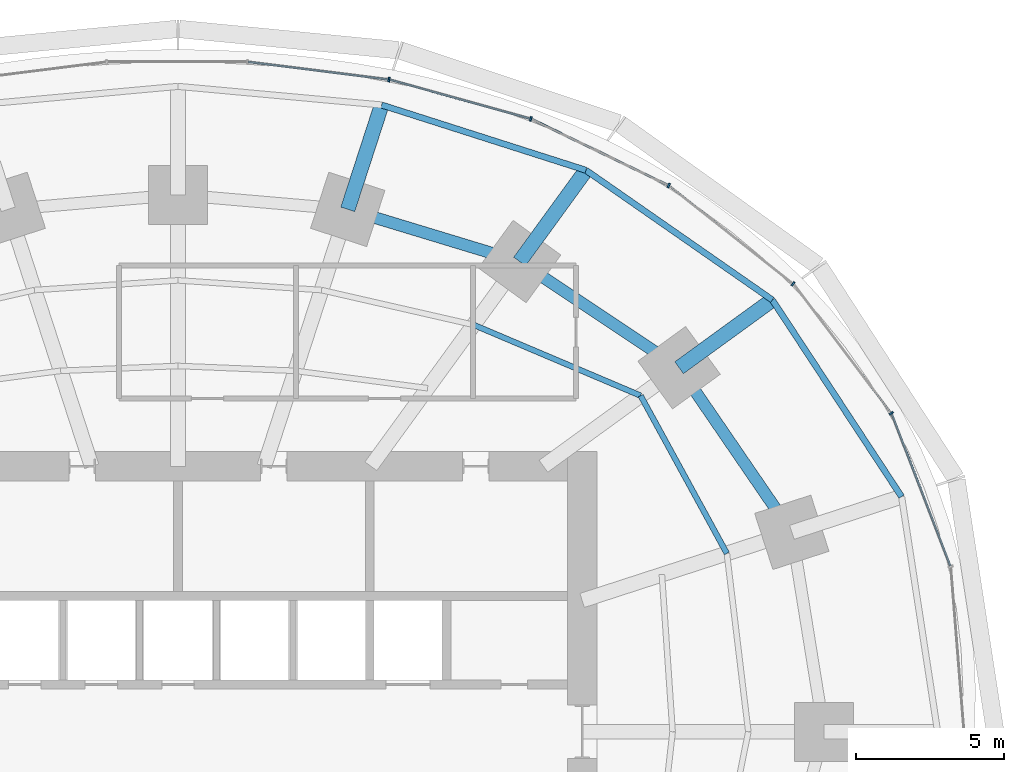
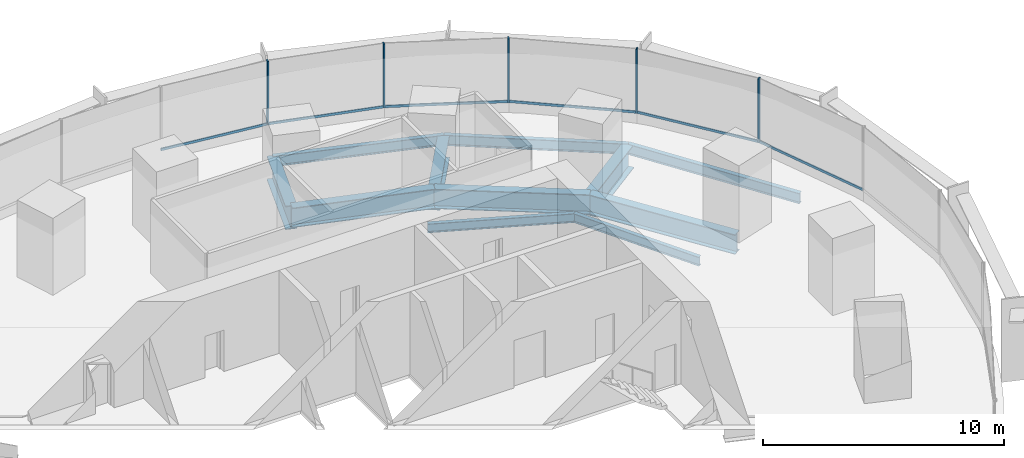
# One storey, part 9 of 15: 11 beams, 11 members, 2 elements without a shape of their own.
"""IFC4 building model written with IfcOpenShell, lengths in metres."""

import ifcopenshell
import ifcopenshell.guid

model = None  # the IFC model being written
_history = None  # IfcOwnerHistory: only IFC2X3 demands one
_inside = {}  # id of a spatial element -> (the spatial element, [elements in it])
_under = {}  # id of a project, library or spatial element -> (it, [spatial elements below it])
_declared = {}  # id of a project -> (the project, [libraries it declares])
_typed = {}  # id of a type object -> (the type object, [elements of that type])
_made_of = {}  # id of a material, layer set ... -> (it, [elements and type objects made of it])


def new_model(schema):
    """Start an empty IFC model of exactly this schema.

    Asked for "IFC4X3", IfcOpenShell would pick the latest addendum, in which some entities
    have other attributes; the version numbers below select the first issue.
    IFC2X3 requires an IfcOwnerHistory on every rooted entity: one is made here for all.
    """
    global model, _history
    if schema == "IFC4X3":
        model = ifcopenshell.file(schema_version=(4, 3, 0, 0))
    else:
        model = ifcopenshell.file(schema=schema)
    _inside.clear()
    _under.clear()
    _declared.clear()
    _typed.clear()
    _made_of.clear()
    _history = None
    if model.schema == "IFC2X3":
        org = make("IfcOrganization", Name="unknown")
        user = make(
            "IfcPersonAndOrganization",
            ThePerson=make("IfcPerson", FamilyName="unknown"),
            TheOrganization=org,
        )
        app = make(
            "IfcApplication",
            ApplicationDeveloper=org,
            Version="unknown",
            ApplicationFullName="unknown",
            ApplicationIdentifier="unknown",
        )
        _history = make(
            "IfcOwnerHistory",
            OwningUser=user,
            OwningApplication=app,
            ChangeAction="ADDED",
            CreationDate=0,
        )
    return model


def make(cls, **values):
    """One entity of the class cls with the attributes given. An attribute that is None is left unset."""
    return model.create_entity(
        cls, **{name: value for name, value in values.items() if value is not None}
    )


def rooted(cls, **values):
    """An entity with a GlobalId (a new one), such as an element, a storey or a relation."""
    return make(cls, GlobalId=ifcopenshell.guid.new(), OwnerHistory=_history, **values)


def si_unit(unit_type, name, prefix=None):
    """IfcSIUnit, for example si_unit("LENGTHUNIT", "METRE", prefix="MILLI")."""
    return make("IfcSIUnit", UnitType=unit_type, Prefix=prefix, Name=name)


def assignment(units):
    """IfcUnitAssignment: the units of a project."""
    return None if units is None else make("IfcUnitAssignment", Units=units)


def point(xyz):
    """IfcCartesianPoint."""
    return None if xyz is None else make("IfcCartesianPoint", Coordinates=xyz)


def direction(xyz):
    """IfcDirection."""
    return None if xyz is None else make("IfcDirection", DirectionRatios=xyz)


def frame(location, z_axis=None, x_axis=None):
    """IfcAxis2Placement3D, a coordinate frame: its origin and axes. An axis left out is left unset."""
    return make(
        "IfcAxis2Placement3D",
        Location=point(location),
        Axis=direction(z_axis),
        RefDirection=direction(x_axis),
    )


def frame_2d(location, x_axis=None):
    """IfcAxis2Placement2D, a coordinate frame in the plane: its origin and x axis."""
    return make(
        "IfcAxis2Placement2D", Location=point(location), RefDirection=direction(x_axis)
    )


def origin():
    """The frame at (0, 0, 0) with its axes left unset."""
    return frame((0.0, 0.0, 0.0))


def origin_2d():
    """The frame at (0, 0) in the plane with its x axis left unset."""
    return frame_2d((0.0, 0.0))


def place(relative_to, where):
    """IfcLocalPlacement: puts the frame where relative to a parent placement (None: the world)."""
    return make(
        "IfcLocalPlacement", PlacementRelTo=relative_to, RelativePlacement=where
    )


def context(
    kind, dimensions, precision=None, world=None, true_north=None, identifier=None
):
    """IfcGeometricRepresentationContext, for example the 3D "Model" context."""
    return make(
        "IfcGeometricRepresentationContext",
        ContextIdentifier=identifier,
        ContextType=kind,
        CoordinateSpaceDimension=dimensions,
        Precision=precision,
        WorldCoordinateSystem=world,
        TrueNorth=true_north,
    )


def subcontext(parent, identifier, kind, view, scale=None):
    """IfcGeometricRepresentationSubContext, for example "Body" below "Model"."""
    return make(
        "IfcGeometricRepresentationSubContext",
        ContextIdentifier=identifier,
        ContextType=kind,
        ParentContext=parent,
        TargetScale=scale,
        TargetView=view,
    )


def project(units=None, contexts=None):
    """IfcProject with its units and contexts."""
    return rooted(
        "IfcProject",
        Name="project",
        RepresentationContexts=contexts,
        UnitsInContext=assignment(units),
    )


def spatial(cls, under=None, at=None, **own):
    """A site, building, storey or space (cls), placed at a placement, below another one or the project."""
    s = rooted(cls, ObjectPlacement=at, **own)
    if under is not None:
        _under.setdefault(under.id(), (under, []))[1].append(s)
    return s


def profile(cls, at=None, kind="AREA", **sizes):
    """A parametric profile (cls). Its sizes go by their IFC names, for example OverallWidth=200.0."""
    return make(cls, ProfileType=kind, Position=at, **sizes)


def rectangle(**sizes):
    """IfcRectangleProfileDef."""
    return profile("IfcRectangleProfileDef", **sizes)


def i_section(**sizes):
    """IfcIShapeProfileDef."""
    return profile("IfcIShapeProfileDef", **sizes)


def extrude(swept, where, along, depth):
    """IfcExtrudedAreaSolid: the profile swept, set in the frame where, extruded along a direction by depth."""
    return make(
        "IfcExtrudedAreaSolid",
        SweptArea=swept,
        Position=where,
        ExtrudedDirection=direction(along),
        Depth=depth,
    )


def shape(context_of_items, identifier, shape_type, items):
    """IfcShapeRepresentation: the items that make up one representation, for example the "Body"."""
    return make(
        "IfcShapeRepresentation",
        ContextOfItems=context_of_items,
        RepresentationIdentifier=identifier,
        RepresentationType=shape_type,
        Items=items,
    )


def material(Name=None, Category=None):
    """IfcMaterial."""
    return make("IfcMaterial", Name=Name, Category=Category)


def material_profile(
    of_material, cross_section, Name=None, Category=None, Priority=None
):
    """IfcMaterialProfile: a cross section and its material."""
    return make(
        "IfcMaterialProfile",
        Name=Name,
        Material=of_material,
        Profile=cross_section,
        Priority=Priority,
        Category=Category,
    )


def profile_set(profiles, Name=None, composite=None):
    """IfcMaterialProfileSet."""
    return make(
        "IfcMaterialProfileSet",
        Name=Name,
        MaterialProfiles=profiles,
        CompositeProfile=composite,
    )


def made_of(thing, what):
    """Note that an element or type object is made of a material, layer set ...; save() writes the relation."""
    if what is not None:
        _made_of.setdefault(what.id(), (what, []))[1].append(thing)
    return thing


def type_object(cls, material=None, **own):
    """A type object (cls), such as IfcWallType, which elements share."""
    return made_of(rooted(cls, **own), material)


def element(
    cls,
    number,
    at=None,
    inside=None,
    cuts=None,
    type_object=None,
    material=None,
    context=None,
    identifier="Body",
    shape_type=None,
    held_by="IfcProductDefinitionShape",
    body=None,
    shapes=None,
    **own,
):
    """One element of the class cls, such as IfcWall. Its Tag is "e" and its number.

    at: its placement. inside: the storey or other place that contains it. cuts: it is an
    opening in that element (IfcRelVoidsElement). A single representation is given by context,
    identifier, shape_type and body (its items); several are given by shapes. held_by: the class
    of the entity that holds the representations. save() writes the other relations.
    """
    e = rooted(cls, Tag="e%d" % number, ObjectPlacement=at, **own)
    if body is not None:
        shapes = [shape(context, identifier, shape_type, body)]
    if shapes is not None:
        e.Representation = make(held_by, Representations=shapes)
    if inside is not None:
        _inside.setdefault(inside.id(), (inside, []))[1].append(e)
    if cuts is not None:
        rooted(
            "IfcRelVoidsElement", RelatingBuildingElement=cuts, RelatedOpeningElement=e
        )
    if type_object is not None:
        _typed.setdefault(type_object.id(), (type_object, []))[1].append(e)
    return made_of(e, material)


def aggregate(whole, parts):
    """IfcRelAggregates: a whole, such as a stair, and the parts it consists of."""
    return rooted("IfcRelAggregates", RelatingObject=whole, RelatedObjects=parts)


def save(model, path):
    """Write the relations noted so far, then the file.

    IfcRelAggregates (storeys below a building ...), IfcRelContainedInSpatialStructure (elements
    in a storey), IfcRelDefinesByType, IfcRelAssociatesMaterial and IfcRelDeclares: one each for
    every whole, place, type object, material and project.
    """
    for whole, parts in _under.values():
        aggregate(whole, parts)
    for where, things in _inside.values():
        rooted(
            "IfcRelContainedInSpatialStructure",
            RelatedElements=things,
            RelatingStructure=where,
        )
    for kind, things in _typed.values():
        rooted("IfcRelDefinesByType", RelatedObjects=things, RelatingType=kind)
    for what, things in _made_of.values():
        rooted("IfcRelAssociatesMaterial", RelatedObjects=things, RelatingMaterial=what)
    for by, libraries in _declared.values():
        rooted("IfcRelDeclares", RelatingContext=by, RelatedDefinitions=libraries)
    model.write(path)


model = new_model("IFC4")

# Units and contexts
model_context = context("Model", 3, precision=1e-05, world=origin(), true_north=direction((0.0, 1.0)))
body_context = subcontext(model_context, "Body", "Model", "MODEL_VIEW")
ifc_project = project(units=[si_unit("LENGTHUNIT", "METRE"), si_unit("AREAUNIT", "SQUARE_METRE"), si_unit("VOLUMEUNIT", "CUBIC_METRE"), si_unit("PLANEANGLEUNIT", "RADIAN"), si_unit("MASSUNIT", "GRAM", prefix="KILO")], contexts=[model_context])

# Site, building, storey
site_placement = place(None, origin())
site = spatial("IfcSite", under=ifc_project, at=site_placement, CompositionType="ELEMENT")
building_placement = place(site_placement, origin())
building = spatial("IfcBuilding", under=site, at=building_placement, Name="Marramba Exchange Tower", CompositionType="ELEMENT")
storey_placement = place(building_placement, frame((0.0, 0.0, 57.39990234375)))
storey = spatial("IfcBuildingStorey", under=building, at=storey_placement, Name="L13", CompositionType="ELEMENT", Elevation=57.39990234375)

# Beams
ifc_material_1 = material(Name="Steel AS/NZS 3679.2 grade 300", Category="steel")
ifc_material_profile_1 = material_profile(ifc_material_1, i_section(OverallWidth=0.5, OverallDepth=1.199951171875, WebThickness=0.01611328125, FlangeThickness=0.0400390625, at=origin_2d()), Name="1200WB455")
ifc_profile_set_1 = profile_set([ifc_material_profile_1], Name="Steel AS/NZS 3679.2 grade 300")
beam_type_1 = type_object("IfcBeamType", Name="Cantilever girder 1200WB455", PredefinedType="BEAM", material=ifc_profile_set_1)
beam_1_placement = place(storey_placement, frame((16.98583984375, 12.3408203125, -0.760009765625), z_axis=(0.808987260856, 0.587826174793, 0.0), x_axis=(-0.587826174793, 0.808987260856, 0.0)))
element("IfcBeam", 1, at=beam_1_placement, inside=storey, type_object=beam_type_1, Name="Cantilever girder L13 TC03", PredefinedType="BEAM", context=body_context, shape_type="SweptSolid", body=[
    extrude(i_section(OverallWidth=0.5, OverallDepth=1.199951171875, WebThickness=0.01611328125, FlangeThickness=0.0400390625, at=origin_2d()), origin(), (0.0, 0.0, 1.0), 3.90771484375),
])
beam_2_placement = place(storey_placement, frame((11.581298828125, 15.9404296875, -0.760009765625), z_axis=(0.587795827483, 0.809009310944, 0.0), x_axis=(-0.809009310944, 0.587795827483, 0.0)))
element("IfcBeam", 2, at=beam_2_placement, inside=storey, type_object=beam_type_1, Name="Cantilever girder L13 TC04", PredefinedType="BEAM", context=body_context, shape_type="SweptSolid", body=[
    extrude(i_section(OverallWidth=0.5, OverallDepth=1.199951171875, WebThickness=0.01611328125, FlangeThickness=0.0400390625, at=origin_2d()), origin(), (0.0, 0.0, 1.0), 3.82421875),
])
beam_3_placement = place(storey_placement, frame((5.75390625, 17.70849609375, -0.760009765625), z_axis=(0.308973290646, 0.951070715387, 0.0), x_axis=(-0.951070715387, 0.308973290646, 0.0)))
element("IfcBeam", 3, at=beam_3_placement, inside=storey, type_object=beam_type_1, Name="Cantilever girder L13 TC05", PredefinedType="BEAM", context=body_context, shape_type="SweptSolid", body=[
    extrude(i_section(OverallWidth=0.5, OverallDepth=1.199951171875, WebThickness=0.01611328125, FlangeThickness=0.0400390625, at=origin_2d()), origin(), (0.0, 0.0, 1.0), 3.72021484375),
])
ifc_material_2 = material(Name="Steel AS/NZS 3679.1 grade 300", Category="steel")
ifc_material_profile_2 = material_profile(ifc_material_2, i_section(OverallWidth=0.18994140625, OverallDepth=0.4541015625, WebThickness=0.008544921875, FlangeThickness=0.0126953125, FilletRadius=0.011474609375, at=origin_2d()), Name="460UB67.1")
ifc_profile_set_2 = profile_set([ifc_material_profile_2], Name="Steel AS/NZS 3679.1 grade 300")
beam_type_2 = type_object("IfcBeamType", Name="Floor joist 460UB67.1", PredefinedType="JOIST", material=ifc_profile_set_2)
beam_4_placement = place(storey_placement, frame((18.60546875, 6.04541015625, -0.386962890625), z_axis=(-0.479584443791, 0.877495732909, 0.0), x_axis=(-0.877495732909, -0.479584443791, 0.0)))
element("IfcBeam", 4, at=beam_4_placement, inside=storey, type_object=beam_type_2, Name="Joist L13 bay 02 row 2", PredefinedType="JOIST", context=body_context, shape_type="SweptSolid", body=[
    extrude(i_section(OverallWidth=0.18994140625, OverallDepth=0.4541015625, WebThickness=0.008544921875, FlangeThickness=0.0126953125, FilletRadius=0.011474609375, at=origin_2d()), origin(), (0.0, 0.0, 1.0), 6.094970703125),
])
beam_5_placement = place(storey_placement, frame((15.682373046875, 11.393798828125, -0.386962890625), z_axis=(-0.920674336375, 0.390331610738, 0.0), x_axis=(-0.390331610738, -0.920674336375, 0.0)))
element("IfcBeam", 5, at=beam_5_placement, inside=storey, type_object=beam_type_2, Name="Joist L13 bay 03 row 2", PredefinedType="JOIST", context=body_context, shape_type="SweptSolid", body=[
    extrude(i_section(OverallWidth=0.18994140625, OverallDepth=0.4541015625, WebThickness=0.008544921875, FlangeThickness=0.0126953125, FilletRadius=0.011474609375, at=origin_2d()), origin(), (0.0, 0.0, 1.0), 6.1484375),
])
ifc_material_profile_3 = material_profile(ifc_material_1, i_section(OverallWidth=0.39990234375, OverallDepth=1.0, WebThickness=0.01611328125, FlangeThickness=0.031982421875, at=origin_2d()), Name="1000WB322")
ifc_profile_set_3 = profile_set([ifc_material_profile_3], Name="Steel AS/NZS 3679.2 grade 300")
beam_type_3 = type_object("IfcBeamType", Name="Ring beam 1000WB322", PredefinedType="SPANDREL", material=ifc_profile_set_3)
beam_6_placement = place(storey_placement, frame((20.808349609375, 6.760986328125, -0.659912109375), z_axis=(-0.56516002054, 0.824981303535, 0.0), x_axis=(-0.824981303535, -0.56516002054, 0.0)))
element("IfcBeam", 6, at=beam_6_placement, inside=storey, type_object=beam_type_3, Name="Ring beam L13 TC02-TC03", PredefinedType="SPANDREL", context=body_context, shape_type="SweptSolid", body=[
    extrude(i_section(OverallWidth=0.39990234375, OverallDepth=1.0, WebThickness=0.01611328125, FlangeThickness=0.031982421875, at=origin_2d()), origin(), (0.0, 0.0, 1.0), 6.763671875),
])
beam_7_placement = place(storey_placement, frame((16.98583984375, 12.3408203125, -0.659912109375), z_axis=(-0.832293151443, 0.554335737673, 0.0), x_axis=(-0.554335737673, -0.832293151443, 0.0)))
element("IfcBeam", 7, at=beam_7_placement, inside=storey, type_object=beam_type_3, Name="Ring beam L13 TC03-TC04", PredefinedType="SPANDREL", context=body_context, shape_type="SweptSolid", body=[
    extrude(i_section(OverallWidth=0.39990234375, OverallDepth=1.0, WebThickness=0.01611328125, FlangeThickness=0.031982421875, at=origin_2d()), origin(), (0.0, 0.0, 1.0), 6.49365234375),
])
beam_8_placement = place(storey_placement, frame((11.581298828125, 15.9404296875, -0.659912109375), z_axis=(-0.956924542524, 0.290336735387, 0.0), x_axis=(-0.290336735387, -0.956924542524, 0.0)))
element("IfcBeam", 8, at=beam_8_placement, inside=storey, type_object=beam_type_3, Name="Ring beam L13 TC04-TC05", PredefinedType="SPANDREL", context=body_context, shape_type="SweptSolid", body=[
    extrude(i_section(OverallWidth=0.39990234375, OverallDepth=1.0, WebThickness=0.01611328125, FlangeThickness=0.031982421875, at=origin_2d()), origin(), (0.0, 0.0, 1.0), 6.089599609375),
])
ifc_material_profile_4 = material_profile(ifc_material_2, i_section(OverallWidth=0.208984375, OverallDepth=0.528076171875, WebThickness=0.009521484375, FlangeThickness=0.01318359375, FilletRadius=0.013916015625, at=origin_2d()), Name="530UB82.0")
ifc_profile_set_4 = profile_set([ifc_material_profile_4], Name="Steel AS/NZS 3679.1 grade 300")
beam_type_4 = type_object("IfcBeamType", Name="Slab edge beam 530UB82.0", PredefinedType="SPANDREL", material=ifc_profile_set_4)
beam_9_placement = place(storey_placement, frame((24.528564453125, 7.9697265625, -0.423828125), z_axis=(-0.549123544095, 0.835741188001, 0.0), x_axis=(-0.835741188001, -0.549123544095, 0.0)))
element("IfcBeam", 9, at=beam_9_placement, inside=storey, type_object=beam_type_4, Name="Slab edge beam L13 TC02-TC03", PredefinedType="SPANDREL", context=body_context, shape_type="SweptSolid", body=[
    extrude(i_section(OverallWidth=0.208984375, OverallDepth=0.528076171875, WebThickness=0.009521484375, FlangeThickness=0.01318359375, FilletRadius=0.013916015625, at=origin_2d()), origin(), (0.0, 0.0, 1.0), 7.978759765625),
])
beam_10_placement = place(storey_placement, frame((20.147216796875, 14.637939453125, -0.423828125), z_axis=(-0.820842487183, 0.571154629882, 0.0), x_axis=(-0.571154629882, -0.820842487183, 0.0)))
element("IfcBeam", 10, at=beam_10_placement, inside=storey, type_object=beam_type_4, Name="Slab edge beam L13 TC03-TC04", PredefinedType="SPANDREL", context=body_context, shape_type="SweptSolid", body=[
    extrude(i_section(OverallWidth=0.208984375, OverallDepth=0.528076171875, WebThickness=0.009521484375, FlangeThickness=0.01318359375, FilletRadius=0.013916015625, at=origin_2d()), origin(), (0.0, 0.0, 1.0), 7.697021484375),
])
beam_11_placement = place(storey_placement, frame((13.8291015625, 19.0341796875, -0.423828125), z_axis=(-0.952577642997, 0.304295635957, 0.0), x_axis=(-0.304295635957, -0.952577642997, 0.0)))
element("IfcBeam", 11, at=beam_11_placement, inside=storey, type_object=beam_type_4, Name="Slab edge beam L13 TC04-TC05", PredefinedType="SPANDREL", context=body_context, shape_type="SweptSolid", body=[
    extrude(i_section(OverallWidth=0.208984375, OverallDepth=0.528076171875, WebThickness=0.009521484375, FlangeThickness=0.01318359375, FilletRadius=0.013916015625, at=origin_2d()), origin(), (0.0, 0.0, 1.0), 7.2705078125),
])

# Curtain wall, members
ifc_material_3 = material(Name="Aluminium framing, bronze anodised", Category="aluminium")
curtain_wall_type = type_object("IfcCurtainWallType", Name="Trading floor ribbon curtain wall", PredefinedType="USERDEFINED", material=ifc_material_3)
curtain_wall_1_placement = place(storey_placement, origin())
curtain_wall_1 = element("IfcCurtainWall", 12, at=curtain_wall_1_placement, inside=storey, type_object=curtain_wall_type, Name="Curtain wall CW3 L13 F01-F05", ObjectType="RIBBON CURTAIN WALL", PredefinedType="USERDEFINED")
ifc_material_4 = material(Name="Aluminium mullion, bronze anodised", Category="aluminium")
ifc_material_profile_5 = material_profile(ifc_material_4, rectangle(XDim=0.159912109375, YDim=0.06005859375, at=origin_2d()), Name="CW3 mullion 60x160")
ifc_profile_set_5 = profile_set([ifc_material_profile_5], Name="Aluminium mullion, bronze anodised")
member_type_1 = type_object("IfcMemberType", Name="Trading floor ribbon curtain wall mullion", PredefinedType="MULLION", material=ifc_profile_set_5)
member_1_placement = place(storey_placement, frame((24.178466796875, 10.796875, 0.800048828125), z_axis=(0.0, 0.0, 1.0), x_axis=(-0.797748922445, -0.602989765036, 0.0)))
member_1 = element("IfcMember", 13, at=member_1_placement, type_object=member_type_1, Name="CW3 mullion 1", PredefinedType="MULLION", context=body_context, shape_type="SweptSolid", body=[
    extrude(rectangle(XDim=0.159912109375, YDim=0.06005859375, at=origin_2d()), origin(), (0.0, 0.0, 1.0), 3.239990234375),
])
member_2_placement = place(storey_placement, frame((20.851806640625, 15.185546875, 0.800048828125), z_axis=(0.0, 0.0, 1.0), x_axis=(-0.620649730166, -0.784087949432, 0.0)))
member_2 = element("IfcMember", 14, at=member_2_placement, type_object=member_type_1, Name="CW3 mullion 1", PredefinedType="MULLION", context=body_context, shape_type="SweptSolid", body=[
    extrude(rectangle(XDim=0.159912109375, YDim=0.06005859375, at=origin_2d()), origin(), (0.0, 0.0, 1.0), 3.239990234375),
])
member_3_placement = place(storey_placement, frame((16.63330078125, 18.516357421875, 0.800048828125), z_axis=(0.0, 0.0, 1.0), x_axis=(-0.43596538664, -0.899963433508, 0.0)))
member_3 = element("IfcMember", 15, at=member_3_placement, type_object=member_type_1, Name="CW3 mullion 1", PredefinedType="MULLION", context=body_context, shape_type="SweptSolid", body=[
    extrude(rectangle(XDim=0.159912109375, YDim=0.06005859375, at=origin_2d()), origin(), (0.0, 0.0, 1.0), 3.239990234375),
])

curtain_wall_2_placement = place(storey_placement, origin())
curtain_wall_2 = element("IfcCurtainWall", 16, at=curtain_wall_2_placement, inside=storey, type_object=curtain_wall_type, Name="Curtain wall CW3 L13 F06-F10", ObjectType="RIBBON CURTAIN WALL", PredefinedType="USERDEFINED")
member_4_placement = place(storey_placement, frame((11.96044921875, 20.774169921875, 0.800048828125), z_axis=(0.0, 0.0, 1.0), x_axis=(-0.267808735815, -0.963472096649, 0.0)))
member_4 = element("IfcMember", 17, at=member_4_placement, type_object=member_type_1, Name="CW3 mullion 1", PredefinedType="MULLION", context=body_context, shape_type="SweptSolid", body=[
    extrude(rectangle(XDim=0.159912109375, YDim=0.06005859375, at=origin_2d()), origin(), (0.0, 0.0, 1.0), 3.239990234375),
])
member_5_placement = place(storey_placement, frame((7.15185546875, 22.106201171875, 0.800048828125), z_axis=(0.0, 0.0, 1.0), x_axis=(-0.124872723099, -0.992172768738, 0.0)))
member_5 = element("IfcMember", 18, at=member_5_placement, type_object=member_type_1, Name="CW3 mullion 1", PredefinedType="MULLION", context=body_context, shape_type="SweptSolid", body=[
    extrude(rectangle(XDim=0.159912109375, YDim=0.06005859375, at=origin_2d()), origin(), (0.0, 0.0, 1.0), 3.239990234375),
])

# Member
ifc_material_5 = material(Name="Aluminium transom, bronze anodised", Category="aluminium")
ifc_material_profile_6 = material_profile(ifc_material_5, rectangle(XDim=0.06005859375, YDim=0.1201171875, at=origin_2d()), Name="CW3 transom 60x120")
ifc_profile_set_6 = profile_set([ifc_material_profile_6], Name="Aluminium transom, bronze anodised")
member_type_2 = type_object("IfcMemberType", Name="Trading floor ribbon curtain wall transom", PredefinedType="USERDEFINED", material=ifc_profile_set_6)
member_6_placement = place(storey_placement, frame((26.179931640625, 5.625244140625, 0.830078125), z_axis=(-0.359533581349, 0.933132147063, 0.0), x_axis=(-0.933132147063, -0.359533581349, 0.0)))
member_6 = element("IfcMember", 19, at=member_6_placement, type_object=member_type_2, Name="CW3 sill transom", ObjectType="TRANSOM", PredefinedType="USERDEFINED", context=body_context, shape_type="SweptSolid", body=[
    extrude(rectangle(XDim=0.06005859375, YDim=0.1201171875, at=origin_2d()), origin(), (0.0, 0.0, 1.0), 5.5166015625),
])

member_7_placement = place(storey_placement, frame((24.160400390625, 10.82080078125, 0.830078125), z_axis=(-0.602985866158, 0.797751869452, 0.0), x_axis=(-0.797751869452, -0.602985866158, 0.0)))
member_7 = element("IfcMember", 20, at=member_7_placement, type_object=member_type_2, Name="CW3 sill transom", ObjectType="TRANSOM", PredefinedType="USERDEFINED", context=body_context, shape_type="SweptSolid", body=[
    extrude(rectangle(XDim=0.06005859375, YDim=0.1201171875, at=origin_2d()), origin(), (0.0, 0.0, 1.0), 5.44775390625),
])

member_8_placement = place(storey_placement, frame((20.828369140625, 15.2041015625, 0.830078125), z_axis=(-0.784097975735, 0.620637063385, 0.0), x_axis=(-0.620637063385, -0.784097975735, 0.0)))
member_8 = element("IfcMember", 21, at=member_8_placement, type_object=member_type_2, Name="CW3 sill transom", ObjectType="TRANSOM", PredefinedType="USERDEFINED", context=body_context, shape_type="SweptSolid", body=[
    extrude(rectangle(XDim=0.06005859375, YDim=0.1201171875, at=origin_2d()), origin(), (0.0, 0.0, 1.0), 5.315673828125),
])

member_9_placement = place(storey_placement, frame((16.6064453125, 18.529296875, 0.830078125), z_axis=(-0.89995331781, 0.43598626786, 0.0), x_axis=(-0.43598626786, -0.89995331781, 0.0)))
member_9 = element("IfcMember", 22, at=member_9_placement, type_object=member_type_2, Name="CW3 sill transom", ObjectType="TRANSOM", PredefinedType="USERDEFINED", context=body_context, shape_type="SweptSolid", body=[
    extrude(rectangle(XDim=0.06005859375, YDim=0.1201171875, at=origin_2d()), origin(), (0.0, 0.0, 1.0), 5.13037109375),
])

aggregate(curtain_wall_1, [member_6, member_1, member_7, member_2, member_8, member_3, member_9])

member_10_placement = place(storey_placement, frame((11.931396484375, 20.7822265625, 0.830078125), z_axis=(-0.963468938163, 0.267820098565, 0.0), x_axis=(-0.267820098565, -0.963468938163, 0.0)))
member_10 = element("IfcMember", 23, at=member_10_placement, type_object=member_type_2, Name="CW3 sill transom", ObjectType="TRANSOM", PredefinedType="USERDEFINED", context=body_context, shape_type="SweptSolid", body=[
    extrude(rectangle(XDim=0.06005859375, YDim=0.1201171875, at=origin_2d()), origin(), (0.0, 0.0, 1.0), 4.929931640625),
])

member_11_placement = place(storey_placement, frame((7.1220703125, 22.10986328125, 0.830078125), z_axis=(-0.99216810728, 0.124909755012, 0.0), x_axis=(-0.124909755012, -0.99216810728, 0.0)))
member_11 = element("IfcMember", 24, at=member_11_placement, type_object=member_type_2, Name="CW3 sill transom", ObjectType="TRANSOM", PredefinedType="USERDEFINED", context=body_context, shape_type="SweptSolid", body=[
    extrude(rectangle(XDim=0.06005859375, YDim=0.1201171875, at=origin_2d()), origin(), (0.0, 0.0, 1.0), 4.77294921875),
])

aggregate(curtain_wall_2, [member_4, member_10, member_5, member_11])

save(model, "model.ifc")
